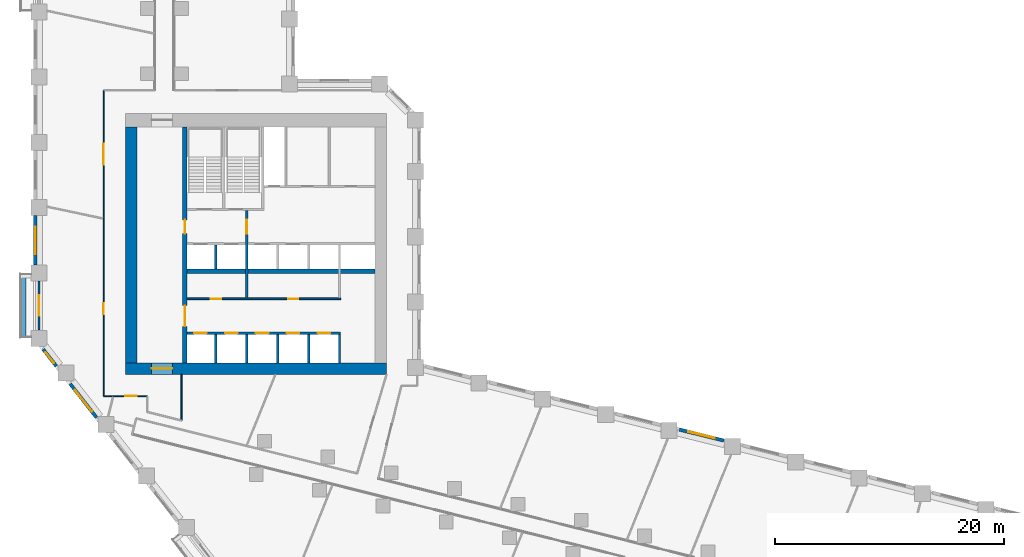
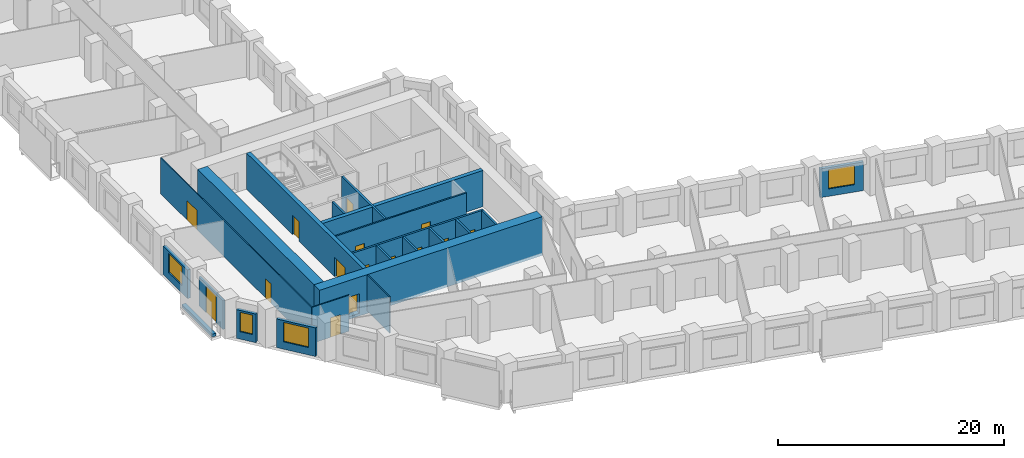
# One storey, part 4 of 11: 22 walls, 15 doors, 4 windows, 19 openings.
"""IFC4 building model written with IfcOpenShell, lengths in metres."""

from ifc_helpers import new_model, si_unit, direction, frame, frame_2d, origin, place, context, subcontext, project, spatial, rectangle, extrude, material, layer, layer_set, type_object, element, fill, save


model = new_model("IFC4")

# Units and contexts
model_context = context("Model", 3, precision=1e-05, world=origin(), true_north=direction((0.0, 1.0)))
body_context = subcontext(model_context, "Body", "Model", "MODEL_VIEW")
ifc_project = project(units=[si_unit("LENGTHUNIT", "METRE"), si_unit("AREAUNIT", "SQUARE_METRE"), si_unit("VOLUMEUNIT", "CUBIC_METRE"), si_unit("PLANEANGLEUNIT", "RADIAN"), si_unit("MASSUNIT", "GRAM", prefix="KILO")], contexts=[model_context])

# Site, building, storey
site_placement = place(None, origin())
site = spatial("IfcSite", under=ifc_project, at=site_placement, CompositionType="ELEMENT")
building_placement = place(site_placement, origin())
building = spatial("IfcBuilding", under=site, at=building_placement, Name="Meshkara Civic Tower", CompositionType="ELEMENT")
storey_placement = place(building_placement, frame((0.0, 0.0, 41.39990234375)))
storey = spatial("IfcBuildingStorey", under=building, at=storey_placement, Name="L08", CompositionType="ELEMENT", Elevation=41.39990234375)

# Wall, openings, doors
ifc_material_1 = material(Name="Blockwork", Category="masonry")
ifc_layer_1 = layer(ifc_material_1, 0.14990234375)
ifc_layer_set_1 = layer_set([ifc_layer_1], Name="Core partition 150")
wall_type_1 = type_object("IfcWallType", Name="Core partition 150", PredefinedType="PARTITIONING", material=ifc_layer_set_1)
wall_1_placement = place(storey_placement, frame((13.39990234375, 20.699951171875, 0.0), z_axis=(0.0, 0.0, 1.0), x_axis=(1.0, 0.0, 0.0)))
wall_1 = element("IfcWall", 1, at=wall_1_placement, inside=storey, type_object=wall_type_1, Name="L08-C006", PredefinedType="PARTITIONING", context=body_context, shape_type="SweptSolid", body=[
    extrude(rectangle(XDim=13.400146484375, YDim=0.14990234375, at=frame_2d((6.7001953125, 0.0))), origin(), (0.0, 0.0, 1.0), 3.900146484375),
])
opening_1_placement = place(wall_1_placement, frame((2.050048828125, 0.0, 0.0)))
opening_1 = element("IfcOpeningElement", 2, at=opening_1_placement, cuts=wall_1, Name="Opening L08-K010", PredefinedType="OPENING", context=body_context, shape_type="SweptSolid", body=[
    extrude(rectangle(XDim=0.89990234375, YDim=2.10009765625, at=frame_2d((0.449951171875, 1.050048828125))), frame((0.0, 0.0849609375, 0.0), z_axis=(0.0, -1.0, 0.0), x_axis=(1.0, 0.0, 0.0)), (0.0, 0.0, 1.0), 0.169921875),
])
opening_2_placement = place(wall_1_placement, frame((8.800048828125, 0.0, 0.0)))
opening_2 = element("IfcOpeningElement", 3, at=opening_2_placement, cuts=wall_1, Name="Opening L08-K011", PredefinedType="OPENING", context=body_context, shape_type="SweptSolid", body=[
    extrude(rectangle(XDim=0.89990234375, YDim=2.10009765625, at=frame_2d((0.449951171875, 1.050048828125))), frame((0.0, 0.0849609375, 0.0), z_axis=(0.0, -1.0, 0.0), x_axis=(1.0, 0.0, 0.0)), (0.0, 0.0, 1.0), 0.169921875),
])
ifc_material_2 = material(Name="Timber door leaf in steel frame", Category="steel")
door_type_1 = type_object("IfcDoorType", Name="Core room door 900", OperationType="SINGLE_SWING_LEFT", PredefinedType="DOOR", material=ifc_material_2)
door_1_placement = place(opening_1_placement, origin())
door_1 = element("IfcDoor", 4, at=door_1_placement, inside=storey, type_object=door_type_1, Name="L08-K010", OperationType="SINGLE_SWING_RIGHT", OverallHeight=2.10009765625, OverallWidth=0.89990234375, PredefinedType="DOOR", context=body_context, shape_type="SweptSolid", body=[
    extrude(rectangle(XDim=0.89990234375, YDim=2.10009765625, at=frame_2d((0.449951171875, 1.050048828125))), frame((0.0, 0.02490234375, 0.0), z_axis=(0.0, -1.0, 0.0), x_axis=(1.0, 0.0, 0.0)), (0.0, 0.0, 1.0), 0.050048828125),
])
fill(opening_1, door_1)
door_2_placement = place(opening_2_placement, origin())
door_2 = element("IfcDoor", 5, at=door_2_placement, inside=storey, type_object=door_type_1, Name="L08-K011", OperationType="SINGLE_SWING_RIGHT", OverallHeight=2.10009765625, OverallWidth=0.89990234375, PredefinedType="DOOR", context=body_context, shape_type="SweptSolid", body=[
    extrude(rectangle(XDim=0.89990234375, YDim=2.10009765625, at=frame_2d((0.449951171875, 1.050048828125))), frame((0.0, 0.02490234375, 0.0), z_axis=(0.0, -1.0, 0.0), x_axis=(1.0, 0.0, 0.0)), (0.0, 0.0, 1.0), 0.050048828125),
])
fill(opening_2, door_2)

# Wall, opening, door
ifc_material_3 = material(Name="Concrete C80", Category="concrete")
ifc_layer_2 = layer(ifc_material_3, 1.0)
ifc_layer_set_2 = layer_set([ifc_layer_2], Name="Core ring wall 1000 C80")
wall_type_2 = type_object("IfcWallType", Name="Core ring wall 1000 C80", PredefinedType="SHEAR", material=ifc_layer_set_2)
wall_2_placement = place(storey_placement, frame((8.0, 14.60009765625, -0.2998046875), z_axis=(0.0, 0.0, 1.0), x_axis=(1.0, 0.0, 0.0)))
wall_2 = element("IfcWall", 6, at=wall_2_placement, inside=storey, type_object=wall_type_2, Name="L08-C001", PredefinedType="SHEAR", context=body_context, shape_type="SweptSolid", body=[
    extrude(rectangle(XDim=22.800048828125, YDim=1.0, at=frame_2d((11.39990234375, 0.0))), origin(), (0.0, 0.0, 1.0), 4.199951171875),
])
opening_3_placement = place(wall_2_placement, frame((2.300048828125, 0.0, 0.300048828125)))
opening_3 = element("IfcOpeningElement", 7, at=opening_3_placement, cuts=wall_2, Name="Opening L08-K021", PredefinedType="OPENING", context=body_context, shape_type="SweptSolid", body=[
    extrude(rectangle(XDim=1.800048828125, YDim=2.10009765625, at=frame_2d((0.89990234375, 1.050048828125))), frame((0.0, 0.510009765625, 0.0), z_axis=(0.0, -1.0, 0.0), x_axis=(1.0, 0.0, 0.0)), (0.0, 0.0, 1.0), 1.02001953125),
])
ifc_material_4 = material(Name="Fire-rated door leaf in steel frame", Category="steel")
door_type_2 = type_object("IfcDoorType", Name="Core double door 1800 EI 60", OperationType="DOUBLE_DOOR_SINGLE_SWING", PredefinedType="DOOR", material=ifc_material_4)
door_3_placement = place(opening_3_placement, origin())
door_3 = element("IfcDoor", 8, at=door_3_placement, inside=storey, type_object=door_type_2, Name="L08-K021", OperationType="DOUBLE_DOOR_SINGLE_SWING", OverallHeight=2.10009765625, OverallWidth=1.800048828125, PredefinedType="DOOR", context=body_context, shape_type="SweptSolid", body=[
    extrude(rectangle(XDim=1.800048828125, YDim=2.10009765625, at=frame_2d((0.89990234375, 1.050048828125))), frame((0.0, 0.02490234375, 0.0), z_axis=(0.0, -1.0, 0.0), x_axis=(1.0, 0.0, 0.0)), (0.0, 0.0, 1.0), 0.050048828125),
])
fill(opening_3, door_3)

# Walls
wall_3_placement = place(storey_placement, frame((8.5, 15.10009765625, -0.2998046875), z_axis=(0.0, 0.0, 1.0), x_axis=(0.0, 1.0, 0.0)))
element("IfcWall", 9, at=wall_3_placement, inside=storey, type_object=wall_type_2, Name="L08-C003", PredefinedType="SHEAR", context=body_context, shape_type="SweptSolid", body=[
    extrude(rectangle(XDim=20.599853515625, YDim=1.0, at=frame_2d((10.2998046875, 0.0))), origin(), (0.0, 0.0, 1.0), 4.199951171875),
])
ifc_material_5 = material(Name="Concrete C80", Category="concrete")
ifc_layer_3 = layer(ifc_material_5, 0.39990234375)
ifc_layer_set_3 = layer_set([ifc_layer_3], Name="Core shear wall 400 C80")
wall_type_3 = type_object("IfcWallType", Name="Core shear wall 400 C80", PredefinedType="SHEAR", material=ifc_layer_set_3)
wall_4_placement = place(storey_placement, frame((13.39990234375, 23.10009765625, 0.0), z_axis=(0.0, 0.0, 1.0), x_axis=(1.0, 0.0, 0.0)))
element("IfcWall", 10, at=wall_4_placement, inside=storey, type_object=wall_type_3, Name="L08-C007", PredefinedType="SHEAR", context=body_context, shape_type="SweptSolid", body=[
    extrude(rectangle(XDim=16.400146484375, YDim=0.39990234375, at=frame_2d((8.2001953125, 0.0))), origin(), (0.0, 0.0, 1.0), 3.900146484375),
])

# Wall, openings, doors
wall_5_placement = place(storey_placement, frame((13.199951171875, 15.10009765625, 0.0), z_axis=(0.0, 0.0, 1.0), x_axis=(0.0, 1.0, 0.0)))
wall_5 = element("IfcWall", 11, at=wall_5_placement, inside=storey, type_object=wall_type_3, Name="L08-C011", PredefinedType="SHEAR", context=body_context, shape_type="SweptSolid", body=[
    extrude(rectangle(XDim=20.599853515625, YDim=0.39990234375, at=frame_2d((10.2998046875, 0.0))), origin(), (0.0, 0.0, 1.0), 3.900146484375),
])
opening_4_placement = place(wall_5_placement, frame((3.199951171875, 0.0, 0.0)))
opening_4 = element("IfcOpeningElement", 12, at=opening_4_placement, cuts=wall_5, Name="Opening L08-K017", PredefinedType="OPENING", context=body_context, shape_type="SweptSolid", body=[
    extrude(rectangle(XDim=1.800048828125, YDim=2.10009765625, at=frame_2d((0.89990234375, 1.050048828125))), frame((0.0, 0.2099609375, 0.0), z_axis=(0.0, -1.0, 0.0), x_axis=(1.0, 0.0, 0.0)), (0.0, 0.0, 1.0), 0.419921875),
])
opening_5_placement = place(wall_5_placement, frame((11.300048828125, 0.0, 0.0)))
opening_5 = element("IfcOpeningElement", 13, at=opening_5_placement, cuts=wall_5, Name="Opening L08-K018", PredefinedType="OPENING", context=body_context, shape_type="SweptSolid", body=[
    extrude(rectangle(XDim=1.199951171875, YDim=2.10009765625, at=frame_2d((0.60009765625, 1.050048828125))), frame((0.0, 0.2099609375, 0.0), z_axis=(0.0, -1.0, 0.0), x_axis=(1.0, 0.0, 0.0)), (0.0, 0.0, 1.0), 0.419921875),
])
door_4_placement = place(opening_4_placement, origin())
door_4 = element("IfcDoor", 14, at=door_4_placement, inside=storey, type_object=door_type_2, Name="L08-K017", OperationType="DOUBLE_DOOR_SINGLE_SWING", OverallHeight=2.10009765625, OverallWidth=1.800048828125, PredefinedType="DOOR", context=body_context, shape_type="SweptSolid", body=[
    extrude(rectangle(XDim=1.800048828125, YDim=2.10009765625, at=frame_2d((0.89990234375, 1.050048828125))), frame((0.0, 0.02490234375, 0.0), z_axis=(0.0, -1.0, 0.0), x_axis=(1.0, 0.0, 0.0)), (0.0, 0.0, 1.0), 0.050048828125),
])
fill(opening_4, door_4)
ifc_material_6 = material(Name="Fire-rated door leaf in steel frame", Category="steel")
door_type_3 = type_object("IfcDoorType", Name="Fire-fighting lobby door 1200 EI 120", OperationType="SINGLE_SWING_LEFT", PredefinedType="DOOR", material=ifc_material_6)
door_5_placement = place(opening_5_placement, origin())
door_5 = element("IfcDoor", 15, at=door_5_placement, inside=storey, type_object=door_type_3, Name="L08-K018", OperationType="SINGLE_SWING_LEFT", OverallHeight=2.10009765625, OverallWidth=1.199951171875, PredefinedType="DOOR", context=body_context, shape_type="SweptSolid", body=[
    extrude(rectangle(XDim=1.199951171875, YDim=2.10009765625, at=frame_2d((0.60009765625, 1.050048828125))), frame((0.0, 0.02490234375, 0.0), z_axis=(0.0, -1.0, 0.0), x_axis=(1.0, 0.0, 0.0)), (0.0, 0.0, 1.0), 0.050048828125),
])
fill(opening_5, door_5)

# Wall, opening, door
ifc_material_7 = material(Name="Corridor wall 100")
ifc_layer_4 = layer(ifc_material_7, 0.10009765625)
ifc_layer_set_4 = layer_set([ifc_layer_4], Name="Corridor wall 100")
wall_type_4 = type_object("IfcWallType", Name="Corridor wall 100", PredefinedType="PARTITIONING", material=ifc_layer_set_4)
wall_6_placement = place(storey_placement, frame((6.10009765625, 12.199951171875, 0.0), z_axis=(0.0, 0.0, 1.0), x_axis=(1.0, 0.0, 0.0)))
wall_6 = element("IfcWall", 16, at=wall_6_placement, inside=storey, type_object=wall_type_4, Name="L08-W004", PredefinedType="PARTITIONING", context=body_context, shape_type="SweptSolid", body=[
    extrude(rectangle(XDim=3.7998046875, YDim=0.10009765625, at=frame_2d((1.89990234375, 0.0))), origin(), (0.0, 0.0, 1.0), 3.900146484375),
])
opening_6_placement = place(wall_6_placement, frame((1.902099609375, 0.0, 0.0)))
opening_6 = element("IfcOpeningElement", 17, at=opening_6_placement, cuts=wall_6, Name="Opening L08-D016", PredefinedType="OPENING", context=body_context, shape_type="SweptSolid", body=[
    extrude(rectangle(XDim=1.0, YDim=2.10009765625, at=frame_2d((0.5, 1.050048828125))), frame((0.0, 0.06005859375, 0.0), z_axis=(0.0, -1.0, 0.0), x_axis=(1.0, 0.0, 0.0)), (0.0, 0.0, 1.0), 0.1201171875),
])
ifc_material_8 = material(Name="Door 1000 x 2100")
door_type_4 = type_object("IfcDoorType", Name="Door 1000 x 2100", OperationType="SINGLE_SWING_LEFT", PredefinedType="DOOR", material=ifc_material_8)
door_6_placement = place(opening_6_placement, origin())
door_6 = element("IfcDoor", 18, at=door_6_placement, inside=storey, type_object=door_type_4, Name="L08-D016", OperationType="SINGLE_SWING_LEFT", OverallHeight=2.10009765625, OverallWidth=1.0, PredefinedType="DOOR", context=body_context, shape_type="SweptSolid", body=[
    extrude(rectangle(XDim=1.0, YDim=2.10009765625, at=frame_2d((0.5, 1.050048828125))), frame((0.0, 0.02490234375, 0.0), z_axis=(0.0, -1.0, 0.0), x_axis=(1.0, 0.0, 0.0)), (0.0, 0.0, 1.0), 0.050048828125),
])
fill(opening_6, door_6)

# Wall, openings, doors
wall_7_placement = place(storey_placement, frame((6.10009765625, 38.89990234375, 0.0), z_axis=(0.0, 0.0, 1.0), x_axis=(0.0, -1.0, 0.0)))
wall_7 = element("IfcWall", 19, at=wall_7_placement, inside=storey, type_object=wall_type_4, Name="L08-W005", PredefinedType="PARTITIONING", context=body_context, shape_type="SweptSolid", body=[
    extrude(rectangle(XDim=26.699951171875, YDim=0.10009765625, at=frame_2d((13.35009765625, 0.0))), origin(), (0.0, 0.0, 1.0), 3.900146484375),
])
opening_7_placement = place(wall_7_placement, frame((18.568115234375, 0.0, 0.0)))
opening_7 = element("IfcOpeningElement", 20, at=opening_7_placement, cuts=wall_7, Name="Opening L08-D017", PredefinedType="OPENING", context=body_context, shape_type="SweptSolid", body=[
    extrude(rectangle(XDim=1.0, YDim=2.10009765625, at=frame_2d((0.5, 1.050048828125))), frame((0.0, 0.06005859375, 0.0), z_axis=(0.0, -1.0, 0.0), x_axis=(1.0, 0.0, 0.0)), (0.0, 0.0, 1.0), 0.1201171875),
])
opening_8_placement = place(wall_7_placement, frame((4.679931640625, 0.0, 0.0)))
opening_8 = element("IfcOpeningElement", 21, at=opening_8_placement, cuts=wall_7, Name="Opening L08-D018", PredefinedType="OPENING", context=body_context, shape_type="SweptSolid", body=[
    extrude(rectangle(XDim=1.800048828125, YDim=2.10009765625, at=frame_2d((0.89990234375, 1.050048828125))), frame((0.0, 0.06005859375, 0.0), z_axis=(0.0, -1.0, 0.0), x_axis=(1.0, 0.0, 0.0)), (0.0, 0.0, 1.0), 0.1201171875),
])
door_7_placement = place(opening_7_placement, origin())
door_7 = element("IfcDoor", 22, at=door_7_placement, inside=storey, type_object=door_type_4, Name="L08-D017", OperationType="SINGLE_SWING_LEFT", OverallHeight=2.10009765625, OverallWidth=1.0, PredefinedType="DOOR", context=body_context, shape_type="SweptSolid", body=[
    extrude(rectangle(XDim=1.0, YDim=2.10009765625, at=frame_2d((0.5, 1.050048828125))), frame((0.0, 0.02490234375, 0.0), z_axis=(0.0, -1.0, 0.0), x_axis=(1.0, 0.0, 0.0)), (0.0, 0.0, 1.0), 0.050048828125),
])
fill(opening_7, door_7)
ifc_material_9 = material(Name="Door pair 1800 x 2100")
door_type_5 = type_object("IfcDoorType", Name="Door pair 1800 x 2100", OperationType="SINGLE_SWING_LEFT", PredefinedType="DOOR", material=ifc_material_9)
door_8_placement = place(opening_8_placement, origin())
door_8 = element("IfcDoor", 23, at=door_8_placement, inside=storey, type_object=door_type_5, Name="L08-D018", OperationType="DOUBLE_DOOR_SINGLE_SWING", OverallHeight=2.10009765625, OverallWidth=1.800048828125, PredefinedType="DOOR", context=body_context, shape_type="SweptSolid", body=[
    extrude(rectangle(XDim=1.800048828125, YDim=2.10009765625, at=frame_2d((0.89990234375, 1.050048828125))), frame((0.0, 0.02490234375, 0.0), z_axis=(0.0, -1.0, 0.0), x_axis=(1.0, 0.0, 0.0)), (0.0, 0.0, 1.0), 0.050048828125),
])
fill(opening_8, door_8)

# Wall
wall_8_placement = place(storey_placement, frame((12.89990234375, 10.077880859375, 0.0), z_axis=(0.0, 0.0, 1.0), x_axis=(0.0, 1.0, 0.0)))
element("IfcWall", 24, at=wall_8_placement, inside=storey, type_object=wall_type_4, Name="L08-W014", PredefinedType="PARTITIONING", context=body_context, shape_type="SweptSolid", body=[
    extrude(rectangle(XDim=4.022216796875, YDim=0.10009765625, at=frame_2d((2.01123046875, 0.0))), origin(), (0.0, 0.0, 1.0), 3.900146484375),
])

# Wall, opening, window
ifc_material_10 = material(Name="Insulated infill panel with bronze anodised aluminium cladding", Category="aluminium")
ifc_layer_5 = layer(ifc_material_10, 0.300048828125)
ifc_layer_set_5 = layer_set([ifc_layer_5], Name="EXTERNAL INFILL WALL 300")
wall_type_5 = type_object("IfcWallType", Name="EXTERNAL INFILL WALL 300", PredefinedType="SOLIDWALL", material=ifc_layer_set_5)
wall_9_placement = place(storey_placement, frame((60.251953125, 8.321044921875, 0.0), z_axis=(0.0, 0.0, 1.0), x_axis=(-0.970303772127, 0.241889623168, 0.0)))
wall_9 = element("IfcWall", 25, at=wall_9_placement, inside=storey, type_object=wall_type_5, Name="External wall", PredefinedType="SOLIDWALL", context=body_context, shape_type="SweptSolid", body=[
    extrude(rectangle(XDim=4.001953125, YDim=0.300048828125, at=frame_2d((2.0009765625, 0.0))), origin(), (0.0, 0.0, 1.0), 3.10009765625),
])
opening_9_placement = place(wall_9_placement, frame((0.801025390625, 0.0, 0.800048828125)))
opening_9 = element("IfcOpeningElement", 26, at=opening_9_placement, cuts=wall_9, Name="Opening W7", PredefinedType="OPENING", context=body_context, shape_type="SweptSolid", body=[
    extrude(rectangle(XDim=2.39990234375, YDim=2.10009765625, at=frame_2d((1.199951171875, 1.050048828125))), frame((0.0, 0.159912109375, 0.0), z_axis=(0.0, -1.0, 0.0), x_axis=(1.0, 0.0, 0.0)), (0.0, 0.0, 1.0), 0.320068359375),
])
ifc_material_11 = material(Name="Tinted double glazing", Category="glass")
window_type_1 = type_object("IfcWindowType", Name="WINDOW 2400x2100", PartitioningType="DOUBLE_PANEL_VERTICAL", PredefinedType="WINDOW", material=ifc_material_11)
window_1_placement = place(opening_9_placement, origin())
window_1 = element("IfcWindow", 27, at=window_1_placement, inside=storey, type_object=window_type_1, Name="Window", OverallHeight=2.10009765625, OverallWidth=2.39990234375, PartitioningType="DOUBLE_PANEL_VERTICAL", PredefinedType="WINDOW", context=body_context, shape_type="SweptSolid", body=[
    extrude(rectangle(XDim=2.39990234375, YDim=2.10009765625, at=frame_2d((1.199951171875, 1.050048828125))), frame((0.0, 0.030029296875, 0.0), z_axis=(0.0, -1.0, 0.0), x_axis=(1.0, 0.0, 0.0)), (0.0, 0.0, 1.0), 0.06005859375),
])
fill(opening_9, window_1)

wall_10_placement = place(storey_placement, frame((0.14990234375, 27.955078125, 0.0), z_axis=(0.0, 0.0, 1.0), x_axis=(0.0, -1.0, 0.0)))
wall_10 = element("IfcWall", 28, at=wall_10_placement, inside=storey, type_object=wall_type_5, Name="External wall", PredefinedType="SOLIDWALL", context=body_context, shape_type="SweptSolid", body=[
    extrude(rectangle(XDim=4.300048828125, YDim=0.300048828125, at=frame_2d((2.14990234375, 0.0))), origin(), (0.0, 0.0, 1.0), 3.10009765625),
])
opening_10_placement = place(wall_10_placement, frame((0.949951171875, 0.0, 0.800048828125)))
opening_10 = element("IfcOpeningElement", 29, at=opening_10_placement, cuts=wall_10, Name="Opening W7", PredefinedType="OPENING", context=body_context, shape_type="SweptSolid", body=[
    extrude(rectangle(XDim=2.39990234375, YDim=2.10009765625, at=frame_2d((1.199951171875, 1.050048828125))), frame((0.0, 0.159912109375, 0.0), z_axis=(0.0, -1.0, 0.0), x_axis=(1.0, 0.0, 0.0)), (0.0, 0.0, 1.0), 0.320068359375),
])
window_2_placement = place(opening_10_placement, origin())
window_2 = element("IfcWindow", 30, at=window_2_placement, inside=storey, type_object=window_type_1, Name="Window", OverallHeight=2.10009765625, OverallWidth=2.39990234375, PartitioningType="DOUBLE_PANEL_VERTICAL", PredefinedType="WINDOW", context=body_context, shape_type="SweptSolid", body=[
    extrude(rectangle(XDim=2.39990234375, YDim=2.10009765625, at=frame_2d((1.199951171875, 1.050048828125))), frame((0.0, 0.030029296875, 0.0), z_axis=(0.0, -1.0, 0.0), x_axis=(1.0, 0.0, 0.0)), (0.0, 0.0, 1.0), 0.06005859375),
])
fill(opening_10, window_2)

wall_11_placement = place(storey_placement, frame((0.818115234375, 16.2958984375, 0.0), z_axis=(0.0, 0.0, 1.0), x_axis=(0.615985155343, -0.787757759973, 0.0)))
wall_11 = element("IfcWall", 31, at=wall_11_placement, inside=storey, type_object=wall_type_5, Name="External wall", PredefinedType="SOLIDWALL", context=body_context, shape_type="SweptSolid", body=[
    extrude(rectangle(XDim=1.874755859375, YDim=0.300048828125, at=frame_2d((0.9375, 0.0))), origin(), (0.0, 0.0, 1.0), 3.10009765625),
])
opening_11_placement = place(wall_11_placement, frame((0.3369140625, 0.0, 0.800048828125)))
opening_11 = element("IfcOpeningElement", 32, at=opening_11_placement, cuts=wall_11, Name="Opening W3", PredefinedType="OPENING", context=body_context, shape_type="SweptSolid", body=[
    extrude(rectangle(XDim=1.199951171875, YDim=2.10009765625, at=frame_2d((0.60009765625, 1.050048828125))), frame((0.0, 0.159912109375, 0.0), z_axis=(0.0, -1.0, 0.0), x_axis=(1.0, 0.0, 0.0)), (0.0, 0.0, 1.0), 0.320068359375),
])
ifc_material_12 = material(Name="Tinted double glazing", Category="glass")
window_type_2 = type_object("IfcWindowType", Name="WINDOW 1200x2100", PartitioningType="SINGLE_PANEL", PredefinedType="WINDOW", material=ifc_material_12)
window_3_placement = place(opening_11_placement, origin())
window_3 = element("IfcWindow", 33, at=window_3_placement, inside=storey, type_object=window_type_2, Name="Window", OverallHeight=2.10009765625, OverallWidth=1.199951171875, PartitioningType="SINGLE_PANEL", PredefinedType="WINDOW", context=body_context, shape_type="SweptSolid", body=[
    extrude(rectangle(XDim=1.199951171875, YDim=2.10009765625, at=frame_2d((0.60009765625, 1.050048828125))), frame((0.0, 0.030029296875, 0.0), z_axis=(0.0, -1.0, 0.0), x_axis=(1.0, 0.0, 0.0)), (0.0, 0.0, 1.0), 0.06005859375),
])
fill(opening_11, window_3)

wall_12_placement = place(storey_placement, frame((3.18310546875, 13.27001953125, 0.0), z_axis=(0.0, 0.0, 1.0), x_axis=(0.615564114897, -0.788086810225, 0.0)))
wall_12 = element("IfcWall", 34, at=wall_12_placement, inside=storey, type_object=wall_type_5, Name="External wall", PredefinedType="SOLIDWALL", context=body_context, shape_type="SweptSolid", body=[
    extrude(rectangle(XDim=3.734619140625, YDim=0.300048828125, at=frame_2d((1.8671875, 0.0))), origin(), (0.0, 0.0, 1.0), 3.10009765625),
])
opening_12_placement = place(wall_12_placement, frame((0.6669921875, 0.0, 0.800048828125)))
opening_12 = element("IfcOpeningElement", 35, at=opening_12_placement, cuts=wall_12, Name="Opening W7", PredefinedType="OPENING", context=body_context, shape_type="SweptSolid", body=[
    extrude(rectangle(XDim=2.39990234375, YDim=2.10009765625, at=frame_2d((1.199951171875, 1.050048828125))), frame((0.0, 0.159912109375, 0.0), z_axis=(0.0, -1.0, 0.0), x_axis=(1.0, 0.0, 0.0)), (0.0, 0.0, 1.0), 0.320068359375),
])
window_4_placement = place(opening_12_placement, origin())
window_4 = element("IfcWindow", 36, at=window_4_placement, inside=storey, type_object=window_type_1, Name="Window", OverallHeight=2.10009765625, OverallWidth=2.39990234375, PartitioningType="DOUBLE_PANEL_VERTICAL", PredefinedType="WINDOW", context=body_context, shape_type="SweptSolid", body=[
    extrude(rectangle(XDim=2.39990234375, YDim=2.10009765625, at=frame_2d((1.199951171875, 1.050048828125))), frame((0.0, 0.030029296875, 0.0), z_axis=(0.0, -1.0, 0.0), x_axis=(1.0, 0.0, 0.0)), (0.0, 0.0, 1.0), 0.06005859375),
])
fill(opening_12, window_4)

# Wall, opening, door
ifc_material_13 = material(Name="Insulated infill panel with bronze anodised aluminium cladding", Category="aluminium")
ifc_layer_6 = layer(ifc_material_13, 0.199951171875)
ifc_layer_set_6 = layer_set([ifc_layer_6], Name="LOGGIA BACK WALL 200")
wall_type_6 = type_object("IfcWallType", Name="LOGGIA BACK WALL 200", PredefinedType="SOLIDWALL", material=ifc_layer_set_6)
wall_13_placement = place(storey_placement, frame((0.449951171875, 22.25390625, 0.0), z_axis=(0.0, 0.0, 1.0), x_axis=(0.0, -1.0, 0.0)))
wall_13 = element("IfcWall", 37, at=wall_13_placement, inside=storey, type_object=wall_type_6, Name="Loggia wall", PredefinedType="SOLIDWALL", context=body_context, shape_type="SweptSolid", body=[
    extrude(rectangle(XDim=4.2978515625, YDim=0.199951171875, at=frame_2d((2.14892578125, 0.0))), origin(), (0.0, 0.0, 1.0), 3.10009765625),
])
opening_13_placement = place(wall_13_placement, frame((1.2490234375, 0.0, 0.0)))
opening_13 = element("IfcOpeningElement", 38, at=opening_13_placement, cuts=wall_13, Name="Opening L08-L002", PredefinedType="OPENING", context=body_context, shape_type="SweptSolid", body=[
    extrude(rectangle(XDim=1.800048828125, YDim=2.89990234375, at=frame_2d((0.89990234375, 1.449951171875))), frame((0.0, 0.10986328125, 0.0), z_axis=(0.0, -1.0, 0.0), x_axis=(1.0, 0.0, 0.0)), (0.0, 0.0, 1.0), 0.219970703125),
])
ifc_material_14 = material(Name="Tinted double glazing", Category="glass")
door_type_6 = type_object("IfcDoorType", Name="LOGGIA DOOR 1800x2900", OperationType="DOUBLE_DOOR_SINGLE_SWING", PredefinedType="DOOR", material=ifc_material_14)
door_9_placement = place(opening_13_placement, origin())
door_9 = element("IfcDoor", 39, at=door_9_placement, inside=storey, type_object=door_type_6, Name="L08-L002", OperationType="DOUBLE_DOOR_SINGLE_SWING", OverallHeight=2.89990234375, OverallWidth=1.800048828125, PredefinedType="DOOR", context=body_context, shape_type="SweptSolid", body=[
    extrude(rectangle(XDim=1.800048828125, YDim=2.89990234375, at=frame_2d((0.89990234375, 1.449951171875))), frame((0.0, 0.02490234375, 0.0), z_axis=(0.0, -1.0, 0.0), x_axis=(1.0, 0.0, 0.0)), (0.0, 0.0, 1.0), 0.050048828125),
])
fill(opening_13, door_9)

# Wall
ifc_material_15 = material(Name="Concrete C40", Category="concrete")
ifc_layer_7 = layer(ifc_material_15, 0.39990234375)
ifc_layer_set_7 = layer_set([ifc_layer_7], Name="PLANTER TRAY")
wall_type_7 = type_object("IfcWallType", Name="PLANTER TRAY", PredefinedType="SOLIDWALL", material=ifc_layer_set_7)
wall_14_placement = place(storey_placement, frame((-0.8798828125, 22.784912109375, 0.0), z_axis=(0.0, 0.0, 1.0), x_axis=(0.0, -1.0, 0.0)))
element("IfcWall", 40, at=wall_14_placement, inside=storey, type_object=wall_type_7, Name="Planter", PredefinedType="SOLIDWALL", context=body_context, shape_type="SweptSolid", body=[
    extrude(rectangle(XDim=5.35986328125, YDim=0.39990234375, at=frame_2d((2.679931640625, 0.0))), origin(), (0.0, 0.0, 1.0), 0.300048828125),
])

# Wall, openings, doors
ifc_material_16 = material(Name="Concrete C40/50", Category="concrete")
ifc_layer_8 = layer(ifc_material_16, 0.199951171875)
ifc_layer_set_8 = layer_set([ifc_layer_8], Name="Shaft wall 200 C40/50")
wall_type_8 = type_object("IfcWallType", Name="Shaft wall 200 C40/50", PredefinedType="SOLIDWALL", material=ifc_layer_set_8)
wall_15_placement = place(storey_placement, frame((13.39990234375, 17.699951171875, 0.0), z_axis=(0.0, 0.0, 1.0), x_axis=(1.0, 0.0, 0.0)))
wall_15 = element("IfcWall", 41, at=wall_15_placement, inside=storey, type_object=wall_type_8, Name="L08-C005", PredefinedType="SOLIDWALL", context=body_context, shape_type="SweptSolid", body=[
    extrude(rectangle(XDim=13.400146484375, YDim=0.199951171875, at=frame_2d((6.7001953125, 0.0))), origin(), (0.0, 0.0, 1.0), 3.900146484375),
])
opening_14_placement = place(wall_15_placement, frame((0.60009765625, 0.0, 0.0)))
opening_14 = element("IfcOpeningElement", 42, at=opening_14_placement, cuts=wall_15, Name="Opening L08-K001", PredefinedType="OPENING", context=body_context, shape_type="SweptSolid", body=[
    extrude(rectangle(XDim=1.10009765625, YDim=2.10009765625, at=frame_2d((0.550048828125, 1.050048828125))), frame((0.0, 0.10986328125, 0.0), z_axis=(0.0, -1.0, 0.0), x_axis=(1.0, 0.0, 0.0)), (0.0, 0.0, 1.0), 0.219970703125),
])
opening_15_placement = place(wall_15_placement, frame((3.300048828125, 0.0, 0.0)))
opening_15 = element("IfcOpeningElement", 43, at=opening_15_placement, cuts=wall_15, Name="Opening L08-K002", PredefinedType="OPENING", context=body_context, shape_type="SweptSolid", body=[
    extrude(rectangle(XDim=1.10009765625, YDim=2.10009765625, at=frame_2d((0.550048828125, 1.050048828125))), frame((0.0, 0.10986328125, 0.0), z_axis=(0.0, -1.0, 0.0), x_axis=(1.0, 0.0, 0.0)), (0.0, 0.0, 1.0), 0.219970703125),
])
opening_16_placement = place(wall_15_placement, frame((6.0, 0.0, 0.0)))
opening_16 = element("IfcOpeningElement", 44, at=opening_16_placement, cuts=wall_15, Name="Opening L08-K003", PredefinedType="OPENING", context=body_context, shape_type="SweptSolid", body=[
    extrude(rectangle(XDim=1.10009765625, YDim=2.10009765625, at=frame_2d((0.550048828125, 1.050048828125))), frame((0.0, 0.10986328125, 0.0), z_axis=(0.0, -1.0, 0.0), x_axis=(1.0, 0.0, 0.0)), (0.0, 0.0, 1.0), 0.219970703125),
])
opening_17_placement = place(wall_15_placement, frame((8.699951171875, 0.0, 0.0)))
opening_17 = element("IfcOpeningElement", 45, at=opening_17_placement, cuts=wall_15, Name="Opening L08-K004", PredefinedType="OPENING", context=body_context, shape_type="SweptSolid", body=[
    extrude(rectangle(XDim=1.10009765625, YDim=2.10009765625, at=frame_2d((0.550048828125, 1.050048828125))), frame((0.0, 0.10986328125, 0.0), z_axis=(0.0, -1.0, 0.0), x_axis=(1.0, 0.0, 0.0)), (0.0, 0.0, 1.0), 0.219970703125),
])
opening_18_placement = place(wall_15_placement, frame((11.39990234375, 0.0, 0.0)))
opening_18 = element("IfcOpeningElement", 46, at=opening_18_placement, cuts=wall_15, Name="Opening L08-K005", PredefinedType="OPENING", context=body_context, shape_type="SweptSolid", body=[
    extrude(rectangle(XDim=1.10009765625, YDim=2.10009765625, at=frame_2d((0.550048828125, 1.050048828125))), frame((0.0, 0.10986328125, 0.0), z_axis=(0.0, -1.0, 0.0), x_axis=(1.0, 0.0, 0.0)), (0.0, 0.0, 1.0), 0.219970703125),
])
ifc_material_17 = material(Name="Stainless steel landing door", Category="steel")
door_type_7 = type_object("IfcDoorType", Name="Lift landing door 1100", OperationType="SLIDING_TO_LEFT", PredefinedType="DOOR", material=ifc_material_17)
door_10_placement = place(opening_14_placement, origin())
door_10 = element("IfcDoor", 47, at=door_10_placement, inside=storey, type_object=door_type_7, Name="L08-K001", OperationType="SLIDING_TO_LEFT", OverallHeight=2.10009765625, OverallWidth=1.10009765625, PredefinedType="DOOR", context=body_context, shape_type="SweptSolid", body=[
    extrude(rectangle(XDim=1.10009765625, YDim=2.10009765625, at=frame_2d((0.550048828125, 1.050048828125))), frame((0.0, 0.02490234375, 0.0), z_axis=(0.0, -1.0, 0.0), x_axis=(1.0, 0.0, 0.0)), (0.0, 0.0, 1.0), 0.050048828125),
])
fill(opening_14, door_10)
door_11_placement = place(opening_15_placement, origin())
door_11 = element("IfcDoor", 48, at=door_11_placement, inside=storey, type_object=door_type_7, Name="L08-K002", OperationType="SLIDING_TO_LEFT", OverallHeight=2.10009765625, OverallWidth=1.10009765625, PredefinedType="DOOR", context=body_context, shape_type="SweptSolid", body=[
    extrude(rectangle(XDim=1.10009765625, YDim=2.10009765625, at=frame_2d((0.550048828125, 1.050048828125))), frame((0.0, 0.02490234375, 0.0), z_axis=(0.0, -1.0, 0.0), x_axis=(1.0, 0.0, 0.0)), (0.0, 0.0, 1.0), 0.050048828125),
])
fill(opening_15, door_11)
door_12_placement = place(opening_16_placement, origin())
door_12 = element("IfcDoor", 49, at=door_12_placement, inside=storey, type_object=door_type_7, Name="L08-K003", OperationType="SLIDING_TO_LEFT", OverallHeight=2.10009765625, OverallWidth=1.10009765625, PredefinedType="DOOR", context=body_context, shape_type="SweptSolid", body=[
    extrude(rectangle(XDim=1.10009765625, YDim=2.10009765625, at=frame_2d((0.550048828125, 1.050048828125))), frame((0.0, 0.02490234375, 0.0), z_axis=(0.0, -1.0, 0.0), x_axis=(1.0, 0.0, 0.0)), (0.0, 0.0, 1.0), 0.050048828125),
])
fill(opening_16, door_12)
door_13_placement = place(opening_17_placement, origin())
door_13 = element("IfcDoor", 50, at=door_13_placement, inside=storey, type_object=door_type_7, Name="L08-K004", OperationType="SLIDING_TO_LEFT", OverallHeight=2.10009765625, OverallWidth=1.10009765625, PredefinedType="DOOR", context=body_context, shape_type="SweptSolid", body=[
    extrude(rectangle(XDim=1.10009765625, YDim=2.10009765625, at=frame_2d((0.550048828125, 1.050048828125))), frame((0.0, 0.02490234375, 0.0), z_axis=(0.0, -1.0, 0.0), x_axis=(1.0, 0.0, 0.0)), (0.0, 0.0, 1.0), 0.050048828125),
])
fill(opening_17, door_13)
door_14_placement = place(opening_18_placement, origin())
door_14 = element("IfcDoor", 51, at=door_14_placement, inside=storey, type_object=door_type_7, Name="L08-K005", OperationType="SLIDING_TO_LEFT", OverallHeight=2.10009765625, OverallWidth=1.10009765625, PredefinedType="DOOR", context=body_context, shape_type="SweptSolid", body=[
    extrude(rectangle(XDim=1.10009765625, YDim=2.10009765625, at=frame_2d((0.550048828125, 1.050048828125))), frame((0.0, 0.02490234375, 0.0), z_axis=(0.0, -1.0, 0.0), x_axis=(1.0, 0.0, 0.0)), (0.0, 0.0, 1.0), 0.050048828125),
])
fill(opening_18, door_14)

# Walls
wall_16_placement = place(storey_placement, frame((15.89990234375, 15.10009765625, 0.0), z_axis=(0.0, 0.0, 1.0), x_axis=(0.0, 1.0, 0.0)))
element("IfcWall", 52, at=wall_16_placement, inside=storey, type_object=wall_type_8, Name="L08-C012", PredefinedType="SOLIDWALL", context=body_context, shape_type="SweptSolid", body=[
    extrude(rectangle(XDim=2.5, YDim=0.199951171875, at=frame_2d((1.25, 0.0))), origin(), (0.0, 0.0, 1.0), 3.900146484375),
])
wall_17_placement = place(storey_placement, frame((15.89990234375, 23.300048828125, 0.0), z_axis=(0.0, 0.0, 1.0), x_axis=(0.0, 1.0, 0.0)))
element("IfcWall", 53, at=wall_17_placement, inside=storey, type_object=wall_type_8, Name="L08-C013", PredefinedType="SOLIDWALL", context=body_context, shape_type="SweptSolid", body=[
    extrude(rectangle(XDim=2.099853515625, YDim=0.199951171875, at=frame_2d((1.0498046875, 0.0))), origin(), (0.0, 0.0, 1.0), 3.900146484375),
])
wall_18_placement = place(storey_placement, frame((18.60009765625, 15.10009765625, 0.0), z_axis=(0.0, 0.0, 1.0), x_axis=(0.0, 1.0, 0.0)))
element("IfcWall", 54, at=wall_18_placement, inside=storey, type_object=wall_type_8, Name="L08-C015", PredefinedType="SOLIDWALL", context=body_context, shape_type="SweptSolid", body=[
    extrude(rectangle(XDim=2.5, YDim=0.199951171875, at=frame_2d((1.25, 0.0))), origin(), (0.0, 0.0, 1.0), 3.900146484375),
])

# Wall, opening, door
wall_19_placement = place(storey_placement, frame((18.60009765625, 20.77490234375, 0.0), z_axis=(0.0, 0.0, 1.0), x_axis=(0.0, 1.0, 0.0)))
wall_19 = element("IfcWall", 55, at=wall_19_placement, inside=storey, type_object=wall_type_8, Name="L08-C016", PredefinedType="SOLIDWALL", context=body_context, shape_type="SweptSolid", body=[
    extrude(rectangle(XDim=7.625, YDim=0.199951171875, at=frame_2d((3.8125, 0.0))), origin(), (0.0, 0.0, 1.0), 3.900146484375),
])
opening_19_placement = place(wall_19_placement, frame((5.625, 0.0, 0.0)))
opening_19 = element("IfcOpeningElement", 56, at=opening_19_placement, cuts=wall_19, Name="Opening L08-K019", PredefinedType="OPENING", context=body_context, shape_type="SweptSolid", body=[
    extrude(rectangle(XDim=1.199951171875, YDim=2.10009765625, at=frame_2d((0.60009765625, 1.050048828125))), frame((0.0, 0.10986328125, 0.0), z_axis=(0.0, -1.0, 0.0), x_axis=(1.0, 0.0, 0.0)), (0.0, 0.0, 1.0), 0.219970703125),
])
door_15_placement = place(opening_19_placement, origin())
door_15 = element("IfcDoor", 57, at=door_15_placement, inside=storey, type_object=door_type_3, Name="L08-K019", OperationType="SINGLE_SWING_RIGHT", OverallHeight=2.10009765625, OverallWidth=1.199951171875, PredefinedType="DOOR", context=body_context, shape_type="SweptSolid", body=[
    extrude(rectangle(XDim=1.199951171875, YDim=2.10009765625, at=frame_2d((0.60009765625, 1.050048828125))), frame((0.0, 0.02490234375, 0.0), z_axis=(0.0, -1.0, 0.0), x_axis=(1.0, 0.0, 0.0)), (0.0, 0.0, 1.0), 0.050048828125),
])
fill(opening_19, door_15)

# Walls
for number, where, z_axis, x_axis, name in (
    (58, (21.300048828125, 15.10009765625, 0.0), (0.0, 0.0, 1.0), (0.0, 1.0, 0.0), "L08-C018"),
    (59, (24.0, 15.10009765625, 0.0), (0.0, 0.0, 1.0), (0.0, 1.0, 0.0), "L08-C021"),
    (60, (26.699951171875, 15.10009765625, 0.0), (0.0, 0.0, 1.0), (0.0, 1.0, 0.0), "L08-C024"),
):
    element("IfcWall", number, at=place(storey_placement, frame(where, z_axis=z_axis, x_axis=x_axis)), inside=storey, type_object=wall_type_8, Name=name, PredefinedType="SOLIDWALL", context=body_context, shape_type="SweptSolid", body=[
        extrude(rectangle(XDim=2.5, YDim=0.199951171875, at=frame_2d((1.25, 0.0))), origin(), (0.0, 0.0, 1.0), 3.900146484375),
    ])

save(model, "model.ifc")
